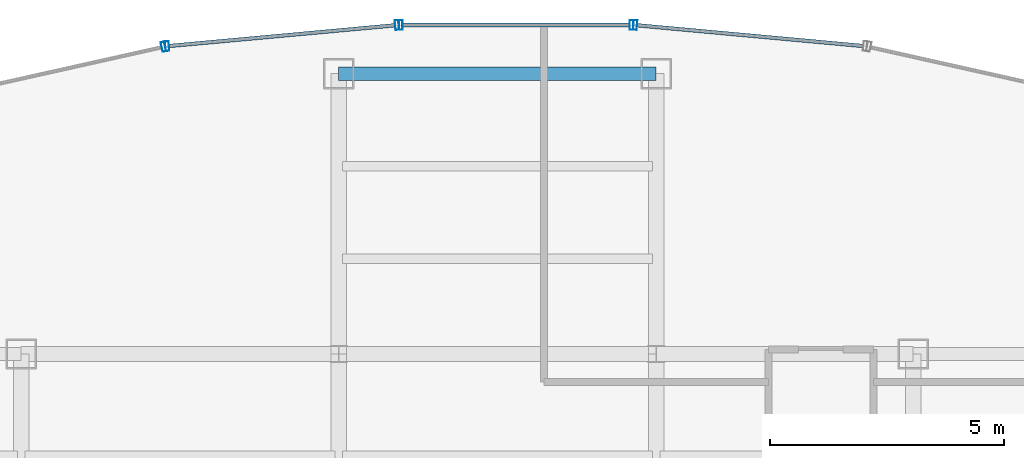
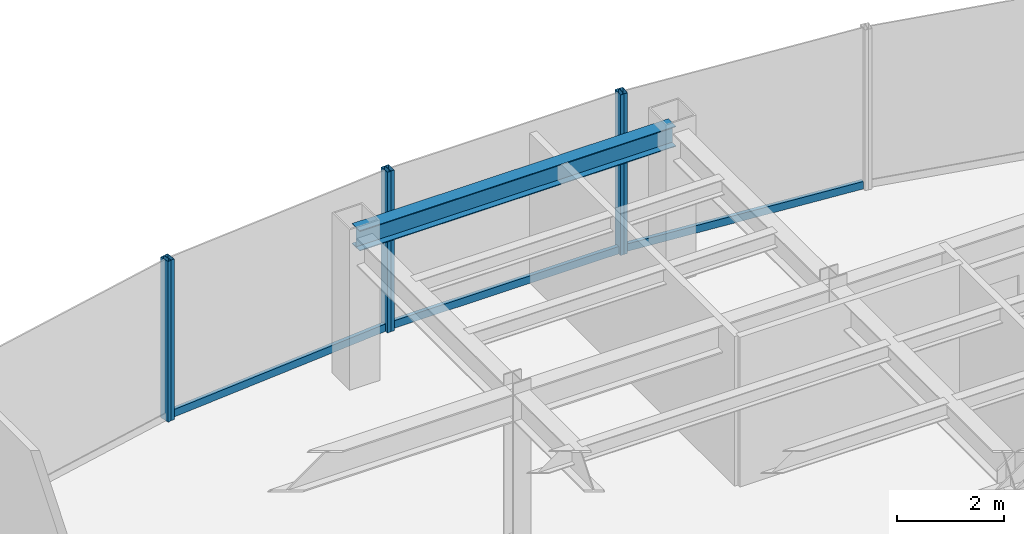
# One storey, part 16 of 25: 9 members, 1 beam, 4 elements without a shape of their own.
"""IFC4 building model written with IfcOpenShell, lengths in metres."""

import ifcopenshell
import ifcopenshell.guid

model = None  # the IFC model being written
_history = None  # IfcOwnerHistory: only IFC2X3 demands one
_inside = {}  # id of a spatial element -> (the spatial element, [elements in it])
_under = {}  # id of a project, library or spatial element -> (it, [spatial elements below it])
_declared = {}  # id of a project -> (the project, [libraries it declares])
_typed = {}  # id of a type object -> (the type object, [elements of that type])
_made_of = {}  # id of a material, layer set ... -> (it, [elements and type objects made of it])


def new_model(schema):
    """Start an empty IFC model of exactly this schema.

    Asked for "IFC4X3", IfcOpenShell would pick the latest addendum, in which some entities
    have other attributes; the version numbers below select the first issue.
    IFC2X3 requires an IfcOwnerHistory on every rooted entity: one is made here for all.
    """
    global model, _history
    if schema == "IFC4X3":
        model = ifcopenshell.file(schema_version=(4, 3, 0, 0))
    else:
        model = ifcopenshell.file(schema=schema)
    _inside.clear()
    _under.clear()
    _declared.clear()
    _typed.clear()
    _made_of.clear()
    _history = None
    if model.schema == "IFC2X3":
        org = make("IfcOrganization", Name="unknown")
        user = make(
            "IfcPersonAndOrganization",
            ThePerson=make("IfcPerson", FamilyName="unknown"),
            TheOrganization=org,
        )
        app = make(
            "IfcApplication",
            ApplicationDeveloper=org,
            Version="unknown",
            ApplicationFullName="unknown",
            ApplicationIdentifier="unknown",
        )
        _history = make(
            "IfcOwnerHistory",
            OwningUser=user,
            OwningApplication=app,
            ChangeAction="ADDED",
            CreationDate=0,
        )
    return model


def make(cls, **values):
    """One entity of the class cls with the attributes given. An attribute that is None is left unset."""
    return model.create_entity(
        cls, **{name: value for name, value in values.items() if value is not None}
    )


def rooted(cls, **values):
    """An entity with a GlobalId (a new one), such as an element, a storey or a relation."""
    return make(cls, GlobalId=ifcopenshell.guid.new(), OwnerHistory=_history, **values)


def si_unit(unit_type, name, prefix=None):
    """IfcSIUnit, for example si_unit("LENGTHUNIT", "METRE", prefix="MILLI")."""
    return make("IfcSIUnit", UnitType=unit_type, Prefix=prefix, Name=name)


def derived_unit(unit_type, elements):
    """IfcDerivedUnit: a product of units, each with its exponent."""
    return make(
        "IfcDerivedUnit",
        Elements=[
            make("IfcDerivedUnitElement", Unit=unit, Exponent=power)
            for unit, power in elements
        ],
        UnitType=unit_type,
    )


def assignment(units):
    """IfcUnitAssignment: the units of a project."""
    return None if units is None else make("IfcUnitAssignment", Units=units)


def point(xyz):
    """IfcCartesianPoint."""
    return None if xyz is None else make("IfcCartesianPoint", Coordinates=xyz)


def direction(xyz):
    """IfcDirection."""
    return None if xyz is None else make("IfcDirection", DirectionRatios=xyz)


def frame(location, z_axis=None, x_axis=None):
    """IfcAxis2Placement3D, a coordinate frame: its origin and axes. An axis left out is left unset."""
    return make(
        "IfcAxis2Placement3D",
        Location=point(location),
        Axis=direction(z_axis),
        RefDirection=direction(x_axis),
    )


def frame_2d(location, x_axis=None):
    """IfcAxis2Placement2D, a coordinate frame in the plane: its origin and x axis."""
    return make(
        "IfcAxis2Placement2D", Location=point(location), RefDirection=direction(x_axis)
    )


def origin():
    """The frame at (0, 0, 0) with its axes left unset."""
    return frame((0.0, 0.0, 0.0))


def origin_2d():
    """The frame at (0, 0) in the plane with its x axis left unset."""
    return frame_2d((0.0, 0.0))


def place(relative_to, where):
    """IfcLocalPlacement: puts the frame where relative to a parent placement (None: the world)."""
    return make(
        "IfcLocalPlacement", PlacementRelTo=relative_to, RelativePlacement=where
    )


def context(
    kind, dimensions, precision=None, world=None, true_north=None, identifier=None
):
    """IfcGeometricRepresentationContext, for example the 3D "Model" context."""
    return make(
        "IfcGeometricRepresentationContext",
        ContextIdentifier=identifier,
        ContextType=kind,
        CoordinateSpaceDimension=dimensions,
        Precision=precision,
        WorldCoordinateSystem=world,
        TrueNorth=true_north,
    )


def subcontext(parent, identifier, kind, view, scale=None):
    """IfcGeometricRepresentationSubContext, for example "Body" below "Model"."""
    return make(
        "IfcGeometricRepresentationSubContext",
        ContextIdentifier=identifier,
        ContextType=kind,
        ParentContext=parent,
        TargetScale=scale,
        TargetView=view,
    )


def project(units=None, contexts=None):
    """IfcProject with its units and contexts."""
    return rooted(
        "IfcProject",
        Name="project",
        RepresentationContexts=contexts,
        UnitsInContext=assignment(units),
    )


def spatial(cls, under=None, at=None, **own):
    """A site, building, storey or space (cls), placed at a placement, below another one or the project."""
    s = rooted(cls, ObjectPlacement=at, **own)
    if under is not None:
        _under.setdefault(under.id(), (under, []))[1].append(s)
    return s


def profile(cls, at=None, kind="AREA", **sizes):
    """A parametric profile (cls). Its sizes go by their IFC names, for example OverallWidth=200.0."""
    return make(cls, ProfileType=kind, Position=at, **sizes)


def hollow_rectangle(**sizes):
    """IfcRectangleHollowProfileDef."""
    return profile("IfcRectangleHollowProfileDef", **sizes)


def i_section(**sizes):
    """IfcIShapeProfileDef."""
    return profile("IfcIShapeProfileDef", **sizes)


def extrude(swept, where, along, depth):
    """IfcExtrudedAreaSolid: the profile swept, set in the frame where, extruded along a direction by depth."""
    return make(
        "IfcExtrudedAreaSolid",
        SweptArea=swept,
        Position=where,
        ExtrudedDirection=direction(along),
        Depth=depth,
    )


def shape(context_of_items, identifier, shape_type, items):
    """IfcShapeRepresentation: the items that make up one representation, for example the "Body"."""
    return make(
        "IfcShapeRepresentation",
        ContextOfItems=context_of_items,
        RepresentationIdentifier=identifier,
        RepresentationType=shape_type,
        Items=items,
    )


def source(mapping_origin, context_of_items, identifier, shape_type, items):
    """IfcRepresentationMap: a shape defined once, which mapped items show again and again."""
    return make(
        "IfcRepresentationMap",
        MappingOrigin=mapping_origin,
        MappedRepresentation=shape(context_of_items, identifier, shape_type, items),
    )


def transform(
    local_origin,
    x_axis=None,
    y_axis=None,
    z_axis=None,
    scale=None,
    scale2=None,
    scale3=None,
    uniform=True,
):
    """IfcCartesianTransformationOperator3D, or its non-uniform kind. x_axis, y_axis, z_axis: its Axis1, 2, 3."""
    if uniform:
        return make(
            "IfcCartesianTransformationOperator3D",
            Axis1=direction(x_axis),
            Axis2=direction(y_axis),
            LocalOrigin=point(local_origin),
            Scale=scale,
            Axis3=direction(z_axis),
        )
    return make(
        "IfcCartesianTransformationOperator3DnonUniform",
        Axis1=direction(x_axis),
        Axis2=direction(y_axis),
        LocalOrigin=point(local_origin),
        Scale=scale,
        Axis3=direction(z_axis),
        Scale2=scale2,
        Scale3=scale3,
    )


def mapped(mapping_source, mapping_target):
    """IfcMappedItem: shows the shape of a source again, moved by a transform."""
    return make(
        "IfcMappedItem", MappingSource=mapping_source, MappingTarget=mapping_target
    )


def material(Name=None, Category=None):
    """IfcMaterial."""
    return make("IfcMaterial", Name=Name, Category=Category)


def material_profile(
    of_material, cross_section, Name=None, Category=None, Priority=None
):
    """IfcMaterialProfile: a cross section and its material."""
    return make(
        "IfcMaterialProfile",
        Name=Name,
        Material=of_material,
        Profile=cross_section,
        Priority=Priority,
        Category=Category,
    )


def profile_set(profiles, Name=None, composite=None):
    """IfcMaterialProfileSet."""
    return make(
        "IfcMaterialProfileSet",
        Name=Name,
        MaterialProfiles=profiles,
        CompositeProfile=composite,
    )


def made_of(thing, what):
    """Note that an element or type object is made of a material, layer set ...; save() writes the relation."""
    if what is not None:
        _made_of.setdefault(what.id(), (what, []))[1].append(thing)
    return thing


def type_object(cls, material=None, **own):
    """A type object (cls), such as IfcWallType, which elements share."""
    return made_of(rooted(cls, **own), material)


def element(
    cls,
    number,
    at=None,
    inside=None,
    cuts=None,
    type_object=None,
    material=None,
    context=None,
    identifier="Body",
    shape_type=None,
    held_by="IfcProductDefinitionShape",
    body=None,
    shapes=None,
    **own,
):
    """One element of the class cls, such as IfcWall. Its Tag is "e" and its number.

    at: its placement. inside: the storey or other place that contains it. cuts: it is an
    opening in that element (IfcRelVoidsElement). A single representation is given by context,
    identifier, shape_type and body (its items); several are given by shapes. held_by: the class
    of the entity that holds the representations. save() writes the other relations.
    """
    e = rooted(cls, Tag="e%d" % number, ObjectPlacement=at, **own)
    if body is not None:
        shapes = [shape(context, identifier, shape_type, body)]
    if shapes is not None:
        e.Representation = make(held_by, Representations=shapes)
    if inside is not None:
        _inside.setdefault(inside.id(), (inside, []))[1].append(e)
    if cuts is not None:
        rooted(
            "IfcRelVoidsElement", RelatingBuildingElement=cuts, RelatedOpeningElement=e
        )
    if type_object is not None:
        _typed.setdefault(type_object.id(), (type_object, []))[1].append(e)
    return made_of(e, material)


def aggregate(whole, parts):
    """IfcRelAggregates: a whole, such as a stair, and the parts it consists of."""
    return rooted("IfcRelAggregates", RelatingObject=whole, RelatedObjects=parts)


def save(model, path):
    """Write the relations noted so far, then the file.

    IfcRelAggregates (storeys below a building ...), IfcRelContainedInSpatialStructure (elements
    in a storey), IfcRelDefinesByType, IfcRelAssociatesMaterial and IfcRelDeclares: one each for
    every whole, place, type object, material and project.
    """
    for whole, parts in _under.values():
        aggregate(whole, parts)
    for where, things in _inside.values():
        rooted(
            "IfcRelContainedInSpatialStructure",
            RelatedElements=things,
            RelatingStructure=where,
        )
    for kind, things in _typed.values():
        rooted("IfcRelDefinesByType", RelatedObjects=things, RelatingType=kind)
    for what, things in _made_of.values():
        rooted("IfcRelAssociatesMaterial", RelatedObjects=things, RelatingMaterial=what)
    for by, libraries in _declared.values():
        rooted("IfcRelDeclares", RelatingContext=by, RelatedDefinitions=libraries)
    model.write(path)


model = new_model("IFC4")

# Units and contexts
model_context = context("Model", 3, precision=1e-05, world=origin(), true_north=direction((0.0, 1.0)))
body_context = subcontext(model_context, "Body", "Model", "MODEL_VIEW")
ifc_project = project(units=[si_unit("LENGTHUNIT", "METRE"), si_unit("AREAUNIT", "SQUARE_METRE"), si_unit("VOLUMEUNIT", "CUBIC_METRE"), si_unit("PLANEANGLEUNIT", "RADIAN"), si_unit("MASSUNIT", "GRAM", prefix="KILO"), derived_unit("THERMALTRANSMITTANCEUNIT", [(si_unit("POWERUNIT", "WATT"), 1), (si_unit("LENGTHUNIT", "METRE"), -2), (si_unit("THERMODYNAMICTEMPERATUREUNIT", "KELVIN"), -1)])], contexts=[model_context])

# Site, building, storey
site_placement = place(None, origin())
site = spatial("IfcSite", under=ifc_project, at=site_placement, CompositionType="ELEMENT")
building_placement = place(site_placement, origin())
building = spatial("IfcBuilding", under=site, at=building_placement, Name="Skarnbrae Concourse Arena and Tower", CompositionType="ELEMENT")
storey_placement = place(building_placement, frame((0.0, 0.0, 166.14990234375)))
storey = spatial("IfcBuildingStorey", under=building, at=storey_placement, Name="L42", CompositionType="ELEMENT", Elevation=166.14990234375)

# Beam
ifc_material_1 = material(Name="Steel CSA G40.21 350W", Category="steel")
ifc_material_profile_1 = material_profile(ifc_material_1, i_section(OverallWidth=0.280029296875, OverallDepth=0.462890625, WebThickness=0.0107421875, FlangeThickness=0.017333984375, at=origin_2d()), Name="W460X113")
ifc_profile_set_1 = profile_set([ifc_material_profile_1], Name="Steel CSA G40.21 350W")
beam_type = type_object("IfcBeamType", Name="BM-SPAN-W460X113", PredefinedType="SPANDREL", material=ifc_profile_set_1)
shared_shape_1 = source(origin(), body_context, "Body", "SweptSolid", [
    extrude(i_section(OverallWidth=0.280029296875, OverallDepth=0.462890625, WebThickness=0.0107421875, FlangeThickness=0.017333984375, at=origin_2d()), origin(), (0.0, 0.0, 1.0), 6.800048828125),
])
beam_placement = place(storey_placement, frame((21.199951171875, 40.39990234375, 3.168701171875), z_axis=(1.0, 0.0, 0.0), x_axis=(0.0, 1.0, 0.0)))
element("IfcBeam", 1, at=beam_placement, inside=storey, type_object=beam_type, Name="L42 Perimeter spandrel Y40.4-1", PredefinedType="SPANDREL", context=body_context, shape_type="MappedRepresentation", body=[
    mapped(shared_shape_1, transform((0.0, 0.0, 0.0))),
])

# Curtain wall, member
ifc_material_2 = material(Name="Bronze anodised aluminium 6063-T6", Category="aluminium")
curtain_wall_type = type_object("IfcCurtainWallType", Name="CW-SYS-03-PORTAL", PredefinedType="USERDEFINED", material=ifc_material_2)
curtain_wall_1_placement = place(storey_placement, origin())
curtain_wall_1 = element("IfcCurtainWall", 2, at=curtain_wall_1_placement, inside=storey, type_object=curtain_wall_type, Name="L42 Unitised curtain wall CW-L42-E10", ObjectType="UNITISED CURTAIN WALL", PredefinedType="USERDEFINED")
ifc_material_profile_2 = material_profile(ifc_material_2, hollow_rectangle(XDim=0.080078125, YDim=0.2099609375, WallThickness=0.00439453125, at=origin_2d()), Name="ALU-MULL-80X210")
ifc_profile_set_2 = profile_set([ifc_material_profile_2], Name="Bronze anodised aluminium 6063-T6")
member_type_1 = type_object("IfcMemberType", Name="CWM-CW-03", PredefinedType="MULLION", material=ifc_profile_set_2)
shared_shape_2 = source(origin(), body_context, "Body", "SweptSolid", [
    extrude(hollow_rectangle(XDim=0.080078125, YDim=0.2099609375, WallThickness=0.00439453125, at=origin_2d()), origin(), (0.0, 0.0, 1.0), 3.650146484375),
])
member_1_placement = place(storey_placement, frame((27.551025390625, 41.44189453125, 0.0), z_axis=(0.0, 0.0, 1.0), x_axis=(-0.995819926016, 0.091338244731, 0.0)))
member_1 = element("IfcMember", 3, at=member_1_placement, type_object=member_type_1, Name="CW-L42-E10 Mullion 2", PredefinedType="MULLION", context=body_context, shape_type="MappedRepresentation", body=[
    mapped(shared_shape_2, transform((0.0, 0.0, 0.0))),
])

# Curtain wall, members
curtain_wall_2_placement = place(storey_placement, origin())
curtain_wall_2 = element("IfcCurtainWall", 4, at=curtain_wall_2_placement, inside=storey, type_object=curtain_wall_type, Name="L42 Unitised curtain wall CW-L42-E11", ObjectType="UNITISED CURTAIN WALL", PredefinedType="USERDEFINED")
member_2_placement = place(storey_placement, frame((27.47119140625, 41.445556640625, 0.0), z_axis=(0.0, 0.0, 1.0), x_axis=(-1.0, 0.0, 0.0)))
member_2 = element("IfcMember", 5, at=member_2_placement, type_object=member_type_1, Name="CW-L42-E11 Mullion 1", PredefinedType="MULLION", context=body_context, shape_type="MappedRepresentation", body=[
    mapped(shared_shape_2, transform((0.0, 0.0, 0.0))),
])
member_3_placement = place(storey_placement, frame((22.52880859375, 41.445556640625, 0.0), z_axis=(0.0, 0.0, 1.0), x_axis=(-1.0, 0.0, 0.0)))
member_3 = element("IfcMember", 6, at=member_3_placement, type_object=member_type_1, Name="CW-L42-E11 Mullion 2", PredefinedType="MULLION", context=body_context, shape_type="MappedRepresentation", body=[
    mapped(shared_shape_2, transform((0.0, 0.0, 0.0))),
])

curtain_wall_3_placement = place(storey_placement, origin())
curtain_wall_3 = element("IfcCurtainWall", 7, at=curtain_wall_3_placement, inside=storey, type_object=curtain_wall_type, Name="L42 Unitised curtain wall CW-L42-E12", ObjectType="UNITISED CURTAIN WALL", PredefinedType="USERDEFINED")
member_4_placement = place(storey_placement, frame((22.448974609375, 41.44189453125, 0.0), z_axis=(0.0, 0.0, 1.0), x_axis=(-0.995819926016, -0.091338244731, 0.0)))
member_4 = element("IfcMember", 8, at=member_4_placement, type_object=member_type_1, Name="CW-L42-E12 Mullion 1", PredefinedType="MULLION", context=body_context, shape_type="MappedRepresentation", body=[
    mapped(shared_shape_2, transform((0.0, 0.0, 0.0))),
])
member_5_placement = place(storey_placement, frame((17.527587890625, 40.990478515625, 0.0), z_axis=(0.0, 0.0, 1.0), x_axis=(-0.995819926016, -0.091338244731, 0.0)))
member_5 = element("IfcMember", 9, at=member_5_placement, type_object=member_type_1, Name="CW-L42-E12 Mullion 2", PredefinedType="MULLION", context=body_context, shape_type="MappedRepresentation", body=[
    mapped(shared_shape_2, transform((0.0, 0.0, 0.0))),
])

# Curtain wall, member
curtain_wall_4_placement = place(storey_placement, origin())
curtain_wall_4 = element("IfcCurtainWall", 10, at=curtain_wall_4_placement, inside=storey, type_object=curtain_wall_type, Name="L42 Unitised curtain wall CW-L42-E13", ObjectType="UNITISED CURTAIN WALL", PredefinedType="USERDEFINED")
member_6_placement = place(storey_placement, frame((17.44873046875, 40.978271484375, 0.0), z_axis=(0.0, 0.0, 1.0), x_axis=(-0.975936175393, -0.218056372433, 0.0)))
member_6 = element("IfcMember", 11, at=member_6_placement, type_object=member_type_1, Name="CW-L42-E13 Mullion 1", PredefinedType="MULLION", context=body_context, shape_type="MappedRepresentation", body=[
    mapped(shared_shape_2, transform((0.0, 0.0, 0.0))),
])
aggregate(curtain_wall_4, [member_6])

# Member
ifc_material_profile_3 = material_profile(ifc_material_2, hollow_rectangle(XDim=0.080078125, YDim=0.169921875, WallThickness=0.00439453125, at=origin_2d()), Name="ALU-TRAN-80X170")
ifc_profile_set_3 = profile_set([ifc_material_profile_3], Name="Bronze anodised aluminium 6063-T6")
member_type_2 = type_object("IfcMemberType", Name="CWT-CW-03", PredefinedType="USERDEFINED", material=ifc_profile_set_3)
shared_shape_3 = source(origin(), body_context, "Body", "SweptSolid", [
    extrude(hollow_rectangle(XDim=0.080078125, YDim=0.169921875, WallThickness=0.00439453125, at=origin_2d()), origin(), (0.0, 0.0, 1.0), 4.86181640625),
])
member_7_placement = place(storey_placement, frame((32.4326171875, 40.994140625, 0.085205078125), z_axis=(-0.995819615433, 0.091341630804, 0.0), x_axis=(-0.091341630804, -0.995819615433, 0.0)))
member_7 = element("IfcMember", 12, at=member_7_placement, type_object=member_type_2, Name="CW-L42-E10 Transom 1", ObjectType="TRANSOM", PredefinedType="USERDEFINED", context=body_context, shape_type="MappedRepresentation", body=[
    mapped(shared_shape_3, transform((0.0, 0.0, 0.0))),
])

aggregate(curtain_wall_1, [member_1, member_7])

member_8_placement = place(storey_placement, frame((22.408935546875, 41.438232421875, 0.085205078125), z_axis=(-0.995819615433, -0.091341630804, 0.0), x_axis=(0.091341630804, -0.995819615433, 0.0)))
member_8 = element("IfcMember", 13, at=member_8_placement, type_object=member_type_2, Name="CW-L42-E12 Transom 1", ObjectType="TRANSOM", PredefinedType="USERDEFINED", context=body_context, shape_type="MappedRepresentation", body=[
    mapped(shared_shape_3, transform((0.0, 0.0, 0.0))),
])

aggregate(curtain_wall_3, [member_4, member_5, member_8])

shared_shape_4 = source(origin(), body_context, "Body", "SweptSolid", [
    extrude(hollow_rectangle(XDim=0.080078125, YDim=0.169921875, WallThickness=0.00439453125, at=origin_2d()), origin(), (0.0, 0.0, 1.0), 4.86279296875),
])
member_9_placement = place(storey_placement, frame((27.431396484375, 41.445556640625, 0.085205078125), z_axis=(-1.0, 0.0, 0.0), x_axis=(0.0, -1.0, 0.0)))
member_9 = element("IfcMember", 14, at=member_9_placement, type_object=member_type_2, Name="CW-L42-E11 Transom 1", ObjectType="TRANSOM", PredefinedType="USERDEFINED", context=body_context, shape_type="MappedRepresentation", body=[
    mapped(shared_shape_4, transform((0.0, 0.0, 0.0))),
])

aggregate(curtain_wall_2, [member_2, member_3, member_9])

save(model, "model.ifc")
